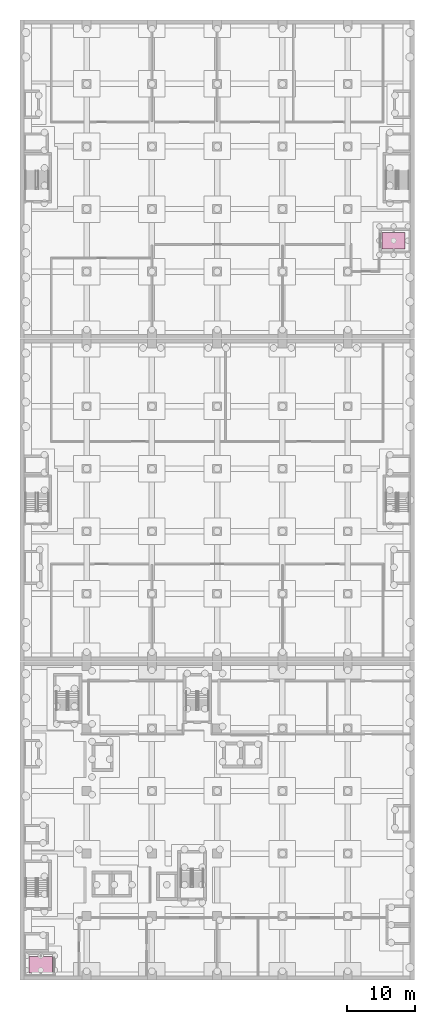
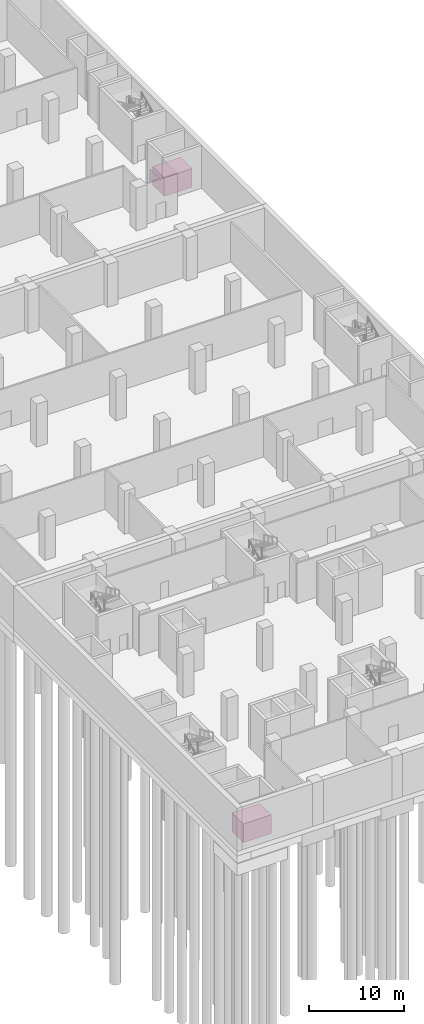
# One storey, part 33 of 33: 2 transport elements.
"""IFC4 building model written with IfcOpenShell, lengths in metres."""

from ifc_helpers import new_model, si_unit, direction, frame, origin, origin_2d, place, context, subcontext, project, spatial, rectangle, extrude, material, type_object, element, save


model = new_model("IFC4")

# Units and contexts
model_context = context("Model", 3, precision=1e-05, world=origin(), true_north=direction((0.0, 1.0)))
body_context = subcontext(model_context, "Body", "Model", "MODEL_VIEW")
ifc_project = project(units=[si_unit("LENGTHUNIT", "METRE"), si_unit("AREAUNIT", "SQUARE_METRE"), si_unit("VOLUMEUNIT", "CUBIC_METRE"), si_unit("PLANEANGLEUNIT", "RADIAN"), si_unit("MASSUNIT", "GRAM", prefix="KILO")], contexts=[model_context])

# Site, building, storey
site_placement = place(None, origin())
site = spatial("IfcSite", under=ifc_project, at=site_placement, CompositionType="ELEMENT")
building_placement = place(site_placement, origin())
building = spatial("IfcBuilding", under=site, at=building_placement, Name="Nzadi Deep Aquarium and Research Tower", CompositionType="ELEMENT")
storey_placement = place(building_placement, frame((0.0, 0.0, -5.5)))
storey = spatial("IfcBuildingStorey", under=building, at=storey_placement, Name="B1", CompositionType="ELEMENT", Elevation=-5.5)

# Transport elements
ifc_material = material(Name="LIFT CAR GOODS 2400x3400")
transport_element_type = type_object("IfcTransportElementType", Name="LIFT CAR GOODS 2400x3400", PredefinedType="ELEVATOR", material=ifc_material)
for number, where, z_axis, x_axis, name in (
    (1, (2.85009765625, 2.050048828125, 0.0), (0.0, 0.0, 1.0), (1.0, 0.0, 0.0), "Lift GL1"),
    (2, (54.75, 108.550048828125, 0.0), (0.0, 0.0, 1.0), (1.0, 0.0, 0.0), "Lift GL2"),
):
    element("IfcTransportElement", number, at=place(storey_placement, frame(where, z_axis=z_axis, x_axis=x_axis)), inside=storey, type_object=transport_element_type, Name=name, PredefinedType="ELEVATOR", context=body_context, shape_type="SweptSolid", body=[
        extrude(rectangle(XDim=3.39990234375, YDim=2.39990234375, at=origin_2d()), origin(), (0.0, 0.0, 1.0), 2.39990234375),
    ])

save(model, "model.ifc")
